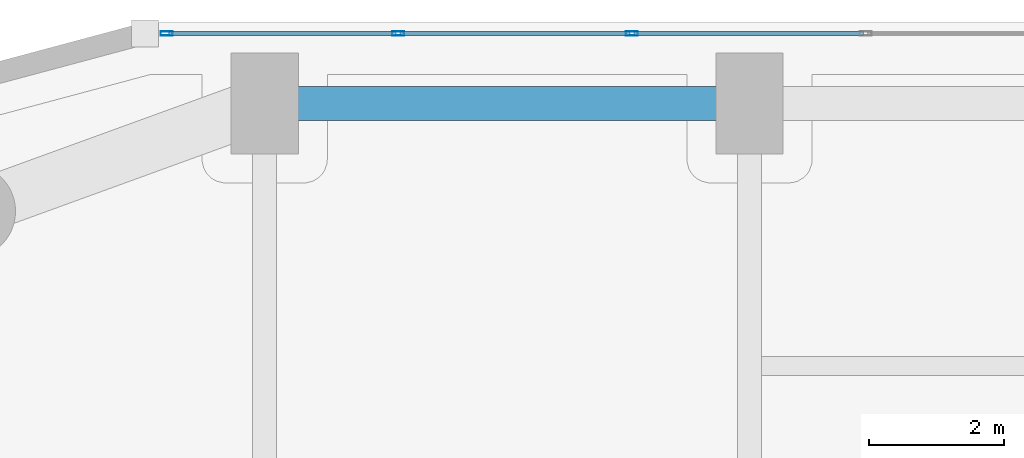
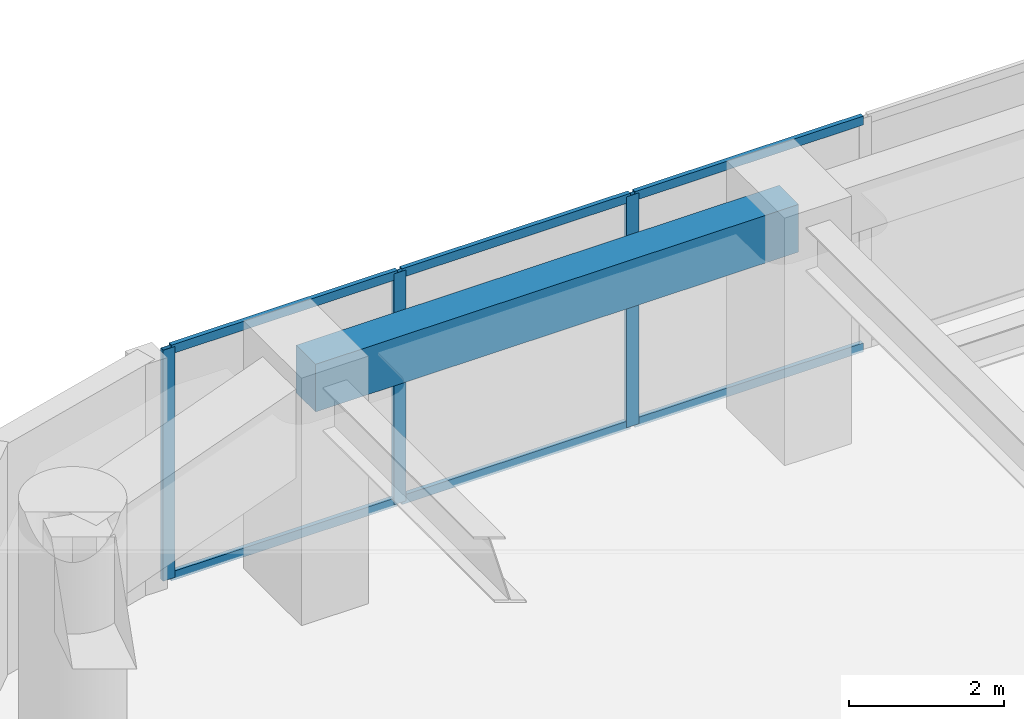
# One storey, part 16 of 28: 9 members, 1 beam, 1 element without a shape of its own.
"""IFC4 building model written with IfcOpenShell, lengths in metres."""

from ifc_helpers import new_model, si_unit, direction, frame, origin, origin_2d, place, context, subcontext, project, spatial, rectangle, hollow_rectangle, extrude, material, layer, layer_set, material_profile, profile_set, type_object, element, aggregate, save


model = new_model("IFC4")

# Units and contexts
model_context = context("Model", 3, precision=1e-05, world=origin(), true_north=direction((0.0, 1.0)))
body_context = subcontext(model_context, "Body", "Model", "MODEL_VIEW")
ifc_project = project(units=[si_unit("LENGTHUNIT", "METRE"), si_unit("AREAUNIT", "SQUARE_METRE"), si_unit("VOLUMEUNIT", "CUBIC_METRE"), si_unit("PLANEANGLEUNIT", "RADIAN"), si_unit("MASSUNIT", "GRAM", prefix="KILO")], contexts=[model_context])

# Site, building, storey
site_placement = place(None, origin())
site = spatial("IfcSite", under=ifc_project, at=site_placement, CompositionType="ELEMENT")
building_placement = place(site_placement, origin())
building = spatial("IfcBuilding", under=site, at=building_placement, Name="Kiyonajd Concourse Tower", CompositionType="ELEMENT")
storey_placement = place(building_placement, frame((0.0, 0.0, 56.699951171875)))
storey = spatial("IfcBuildingStorey", under=building, at=storey_placement, Name="L15", CompositionType="ELEMENT", Elevation=56.699951171875)

# Beam
ifc_material_1 = material(Name="Precast concrete C50/60", Category="concrete")
ifc_material_profile_1 = material_profile(ifc_material_1, rectangle(XDim=0.5, YDim=0.75, at=origin_2d()), Name="RCBM-500x750")
ifc_profile_set_1 = profile_set([ifc_material_profile_1], Name="Precast concrete C50/60")
beam_type = type_object("IfcBeamType", Name="BM-SPAN-RC", PredefinedType="SPANDREL", material=ifc_profile_set_1)
beam_placement = place(storey_placement, frame((32.39990234375, 61.199951171875, 3.26513671875), z_axis=(-1.0, 0.0, 0.0), x_axis=(0.0, -1.0, 0.0)))
element("IfcBeam", 1, at=beam_placement, inside=storey, type_object=beam_type, Name="L15 Perimeter Bundled Tube Spandrel", PredefinedType="SPANDREL", context=body_context, shape_type="SweptSolid", body=[
    extrude(rectangle(XDim=0.5, YDim=0.75, at=origin_2d()), origin(), (0.0, 0.0, 1.0), 7.199951171875),
])

# Curtain wall, members
ifc_material_2 = material(Name="Thermally Broken Anodised Aluminium", Category="aluminium")
ifc_layer = layer(ifc_material_2, 0.179931640625)
ifc_layer_set = layer_set([ifc_layer], Name="Thermally Broken Anodised Aluminium")
curtain_wall_type = type_object("IfcCurtainWallType", Name="CW-SYS-02", PredefinedType="NOTDEFINED", material=ifc_layer_set)
curtain_wall_placement = place(storey_placement, origin())
curtain_wall = element("IfcCurtainWall", 2, at=curtain_wall_placement, inside=storey, type_object=curtain_wall_type, Name="L15 Unitised Curtain Wall CW2", PredefinedType="NOTDEFINED")
ifc_material_profile_2 = material_profile(ifc_material_2, hollow_rectangle(XDim=0.06494140625, YDim=0.179931640625, WallThickness=0.00390625, at=origin_2d()), Name="MULL-65x180")
ifc_profile_set_2 = profile_set([ifc_material_profile_2], Name="Thermally Broken Anodised Aluminium")
member_type_1 = type_object("IfcMemberType", Name="MB-CW-MULL1", PredefinedType="MULLION", material=ifc_profile_set_2)
member_1_placement = place(storey_placement, frame((23.74365234375, 62.239990234375, 0.0), z_axis=(0.0, 0.0, 1.0), x_axis=(0.0, 1.0, 0.0)))
member_1 = element("IfcMember", 3, at=member_1_placement, type_object=member_type_1, Name="CW2 mullion 1", PredefinedType="MULLION", context=body_context, shape_type="SweptSolid", body=[
    extrude(hollow_rectangle(XDim=0.06494140625, YDim=0.179931640625, WallThickness=0.00390625, at=origin_2d()), origin(), (0.0, 0.0, 1.0), 3.64013671875),
])
member_2_placement = place(storey_placement, frame((27.181884765625, 62.239990234375, 0.0), z_axis=(0.0, 0.0, 1.0), x_axis=(0.0, 1.0, 0.0)))
member_2 = element("IfcMember", 4, at=member_2_placement, type_object=member_type_1, Name="CW2 mullion 2", PredefinedType="MULLION", context=body_context, shape_type="SweptSolid", body=[
    extrude(hollow_rectangle(XDim=0.06494140625, YDim=0.179931640625, WallThickness=0.00390625, at=origin_2d()), origin(), (0.0, 0.0, 1.0), 3.64013671875),
])
member_3_placement = place(storey_placement, frame((30.652587890625, 62.239990234375, 0.0), z_axis=(0.0, 0.0, 1.0), x_axis=(0.0, 1.0, 0.0)))
member_3 = element("IfcMember", 5, at=member_3_placement, type_object=member_type_1, Name="CW2 mullion 3", PredefinedType="MULLION", context=body_context, shape_type="SweptSolid", body=[
    extrude(hollow_rectangle(XDim=0.06494140625, YDim=0.179931640625, WallThickness=0.00390625, at=origin_2d()), origin(), (0.0, 0.0, 1.0), 3.64013671875),
])
ifc_material_profile_3 = material_profile(ifc_material_2, hollow_rectangle(XDim=0.06494140625, YDim=0.139892578125, WallThickness=0.00390625, at=origin_2d()), Name="TRAN-65x140")
ifc_profile_set_3 = profile_set([ifc_material_profile_3], Name="Thermally Broken Anodised Aluminium")
member_type_2 = type_object("IfcMemberType", Name="MB-CW-TRAN1", PredefinedType="USERDEFINED", material=ifc_profile_set_3)
member_4_placement = place(storey_placement, frame((23.776123046875, 62.239990234375, 0.032470703125), z_axis=(1.0, 0.0, 0.0), x_axis=(0.0, 1.0, 0.0)))
member_4 = element("IfcMember", 6, at=member_4_placement, type_object=member_type_2, Name="CW2 transom 1.1", ObjectType="TRANSOM", PredefinedType="USERDEFINED", context=body_context, shape_type="SweptSolid", body=[
    extrude(hollow_rectangle(XDim=0.06494140625, YDim=0.139892578125, WallThickness=0.00390625, at=origin_2d()), origin(), (0.0, 0.0, 1.0), 3.373291015625),
])
member_5_placement = place(storey_placement, frame((23.776123046875, 62.239990234375, 3.607666015625), z_axis=(1.0, 0.0, 0.0), x_axis=(0.0, 1.0, 0.0)))
member_5 = element("IfcMember", 7, at=member_5_placement, type_object=member_type_2, Name="CW2 transom 1.2", ObjectType="TRANSOM", PredefinedType="USERDEFINED", context=body_context, shape_type="SweptSolid", body=[
    extrude(hollow_rectangle(XDim=0.06494140625, YDim=0.139892578125, WallThickness=0.00390625, at=origin_2d()), origin(), (0.0, 0.0, 1.0), 3.373291015625),
])
member_6_placement = place(storey_placement, frame((27.21435546875, 62.239990234375, 0.032470703125), z_axis=(1.0, 0.0, 0.0), x_axis=(0.0, 1.0, 0.0)))
member_6 = element("IfcMember", 8, at=member_6_placement, type_object=member_type_2, Name="CW2 transom 2.1", ObjectType="TRANSOM", PredefinedType="USERDEFINED", context=body_context, shape_type="SweptSolid", body=[
    extrude(hollow_rectangle(XDim=0.06494140625, YDim=0.139892578125, WallThickness=0.00390625, at=origin_2d()), origin(), (0.0, 0.0, 1.0), 3.40576171875),
])
member_7_placement = place(storey_placement, frame((27.21435546875, 62.239990234375, 3.607666015625), z_axis=(1.0, 0.0, 0.0), x_axis=(0.0, 1.0, 0.0)))
member_7 = element("IfcMember", 9, at=member_7_placement, type_object=member_type_2, Name="CW2 transom 2.2", ObjectType="TRANSOM", PredefinedType="USERDEFINED", context=body_context, shape_type="SweptSolid", body=[
    extrude(hollow_rectangle(XDim=0.06494140625, YDim=0.139892578125, WallThickness=0.00390625, at=origin_2d()), origin(), (0.0, 0.0, 1.0), 3.40576171875),
])
member_8_placement = place(storey_placement, frame((30.68505859375, 62.239990234375, 0.032470703125), z_axis=(1.0, 0.0, 0.0), x_axis=(0.0, 1.0, 0.0)))
member_8 = element("IfcMember", 10, at=member_8_placement, type_object=member_type_2, Name="CW2 transom 3.1", ObjectType="TRANSOM", PredefinedType="USERDEFINED", context=body_context, shape_type="SweptSolid", body=[
    extrude(hollow_rectangle(XDim=0.06494140625, YDim=0.139892578125, WallThickness=0.00390625, at=origin_2d()), origin(), (0.0, 0.0, 1.0), 3.40576171875),
])
member_9_placement = place(storey_placement, frame((30.68505859375, 62.239990234375, 3.607666015625), z_axis=(1.0, 0.0, 0.0), x_axis=(0.0, 1.0, 0.0)))
member_9 = element("IfcMember", 11, at=member_9_placement, type_object=member_type_2, Name="CW2 transom 3.2", ObjectType="TRANSOM", PredefinedType="USERDEFINED", context=body_context, shape_type="SweptSolid", body=[
    extrude(hollow_rectangle(XDim=0.06494140625, YDim=0.139892578125, WallThickness=0.00390625, at=origin_2d()), origin(), (0.0, 0.0, 1.0), 3.40576171875),
])
aggregate(curtain_wall, [member_1, member_2, member_3, member_4, member_5, member_6, member_7, member_8, member_9])

save(model, "model.ifc")
